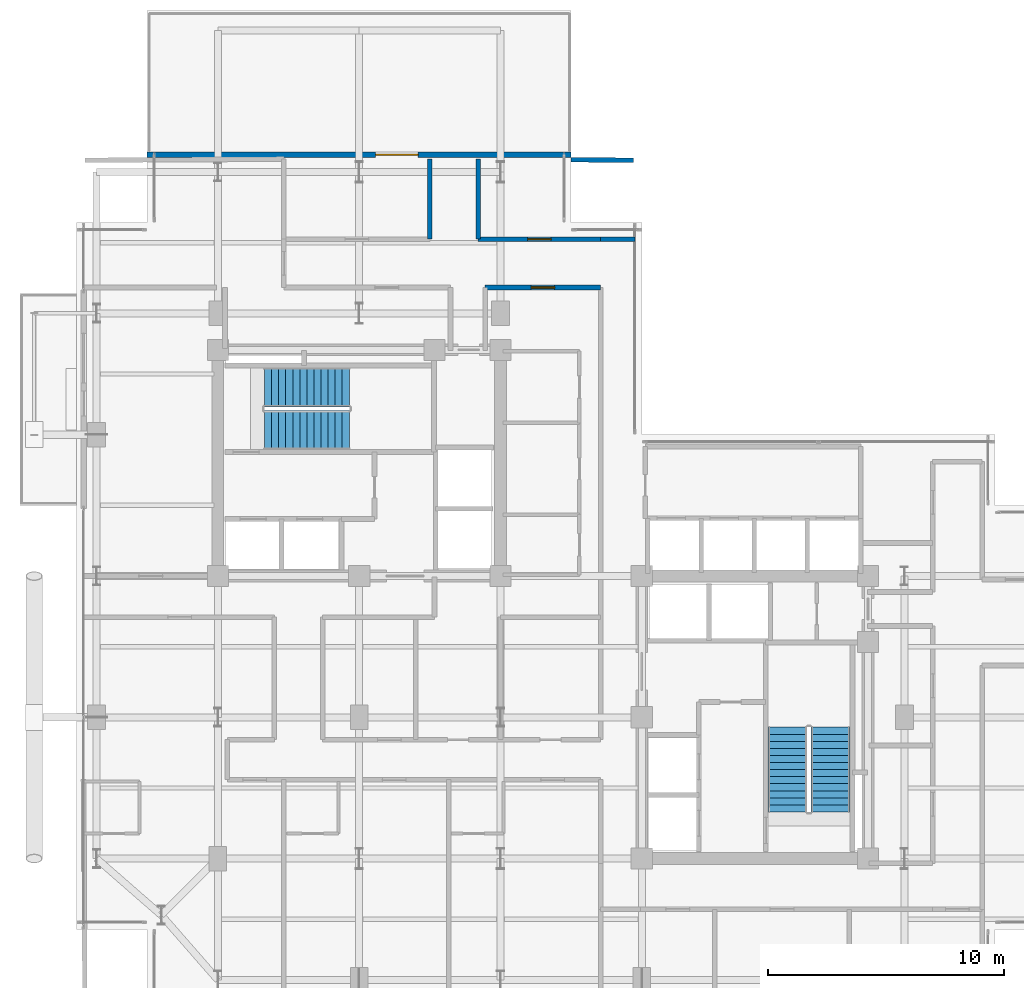
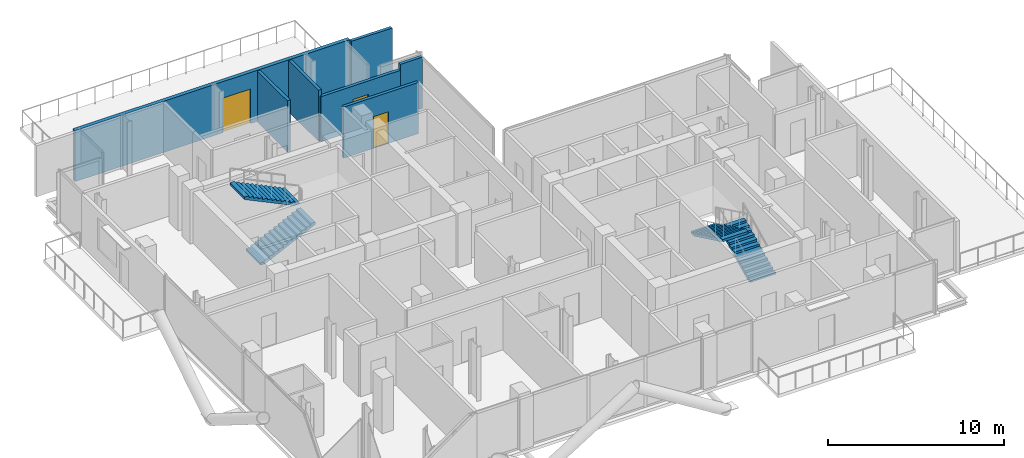
# One storey, part 24 of 28: 7 walls, 4 stair flights, 3 doors, 3 openings, 2 elements without a shape of their own.
"""IFC4 building model written with IfcOpenShell, lengths in metres."""

from ifc_helpers import new_model, si_unit, direction, frame, frame_2d, origin, place, context, subcontext, project, spatial, polyline, rectangle, outline, extrude, material, layer, layer_set, type_object, element, fill, aggregate, save


model = new_model("IFC4")

# Units and contexts
model_context = context("Model", 3, precision=1e-05, world=origin(), true_north=direction((0.0, 1.0)))
body_context = subcontext(model_context, "Body", "Model", "MODEL_VIEW")
ifc_project = project(units=[si_unit("LENGTHUNIT", "METRE"), si_unit("AREAUNIT", "SQUARE_METRE"), si_unit("VOLUMEUNIT", "CUBIC_METRE"), si_unit("PLANEANGLEUNIT", "RADIAN"), si_unit("MASSUNIT", "GRAM", prefix="KILO"), si_unit("THERMODYNAMICTEMPERATUREUNIT", "KELVIN"), si_unit("POWERUNIT", "WATT")], contexts=[model_context])

# Site, building, storey
site_placement = place(None, origin())
site = spatial("IfcSite", under=ifc_project, at=site_placement, CompositionType="ELEMENT")
building_placement = place(site_placement, origin())
building = spatial("IfcBuilding", under=site, at=building_placement, Name="Svarakhadi Broadcast Tower", CompositionType="ELEMENT")
storey_placement = place(building_placement, frame((0.0, 0.0, 169.199951171875)))
storey = spatial("IfcBuildingStorey", under=building, at=storey_placement, Name="L41", CompositionType="ELEMENT", Elevation=169.199951171875)

# Wall, opening, door
ifc_material_1 = material(Name="Double-Stud Acoustic Studio Partition STC-62", Category="gypsum")
ifc_layer_1 = layer(ifc_material_1, 0.199951171875)
ifc_layer_set_1 = layer_set([ifc_layer_1], Name="Double-Stud Acoustic Studio Partition STC-62")
wall_type_1 = type_object("IfcWallType", Name="Wall_Acoust_200", PredefinedType="PARTITIONING", material=ifc_layer_set_1)
wall_1_placement = place(storey_placement, frame((22.25, 30.25, 0.0), z_axis=(0.0, 0.0, 1.0), x_axis=(-1.0, 0.0, 0.0)))
wall_1 = element("IfcWall", 1, at=wall_1_placement, inside=storey, type_object=wall_type_1, Name="L41 Zone 2/3 Corridor Wall", PredefinedType="PARTITIONING", context=body_context, shape_type="SweptSolid", body=[
    extrude(rectangle(XDim=4.89990234375, YDim=0.199951171875, at=frame_2d((2.449951171875, 0.0))), origin(), (0.0, 0.0, 1.0), 3.5400390625),
])
opening_1_placement = place(wall_1_placement, frame((1.949951171875, 0.0, 0.0)))
opening_1 = element("IfcOpeningElement", 2, at=opening_1_placement, cuts=wall_1, Name="Opening D-08", PredefinedType="OPENING", context=body_context, shape_type="SweptSolid", body=[
    extrude(rectangle(XDim=1.0, YDim=2.199951171875, at=frame_2d((0.5, 1.10009765625))), frame((0.0, 0.10986328125, 0.0), z_axis=(0.0, -1.0, 0.0), x_axis=(1.0, 0.0, 0.0)), (0.0, 0.0, 1.0), 0.219970703125),
])
ifc_material_2 = material(Name="Solid-Core Teak Veneer Acoustic Timber Leaf", Category="wood")
door_type_1 = type_object("IfcDoorType", Name="Door_Suite_D08", OperationType="SINGLE_SWING_LEFT", PredefinedType="DOOR", material=ifc_material_2)
door_1_placement = place(opening_1_placement, origin())
door_1 = element("IfcDoor", 3, at=door_1_placement, inside=storey, type_object=door_type_1, Name="L41 Guest Quiet Study Door", OperationType="SINGLE_SWING_LEFT", OverallHeight=2.199951171875, OverallWidth=1.0, PredefinedType="DOOR", context=body_context, shape_type="SweptSolid", body=[
    extrude(rectangle(XDim=1.0, YDim=2.199951171875, at=frame_2d((0.5, 1.10009765625))), frame((0.0, 0.02490234375, 0.0), z_axis=(0.0, -1.0, 0.0), x_axis=(1.0, 0.0, 0.0)), (0.0, 0.0, 1.0), 0.050048828125),
])
fill(opening_1, door_1)

# Walls
for number, where, z_axis, x_axis, name in (
    (4, (15.0, 32.300048828125, 0.0), (0.0, 0.0, 1.0), (0.0, 1.0, 0.0), "L41 Zone 2/3 Corridor Wall"),
    (5, (17.050048828125, 35.699951171875, 0.0), (0.0, 0.0, 1.0), (0.0, -1.0, 0.0), "L41 Zone 2/3 Corridor Wall"),
):
    element("IfcWall", number, at=place(storey_placement, frame(where, z_axis=z_axis, x_axis=x_axis)), inside=storey, type_object=wall_type_1, Name=name, PredefinedType="PARTITIONING", context=body_context, shape_type="SweptSolid", body=[
        extrude(rectangle(XDim=3.39990234375, YDim=0.199951171875, at=frame_2d((1.699951171875, 0.0))), origin(), (0.0, 0.0, 1.0), 3.5400390625),
    ])

# Wall, opening, door
wall_2_placement = place(storey_placement, frame((17.050048828125, 32.300048828125, 0.0), z_axis=(0.0, 0.0, 1.0), x_axis=(1.0, 0.0, 0.0)))
wall_2 = element("IfcWall", 6, at=wall_2_placement, inside=storey, type_object=wall_type_1, Name="L41 Zone 2/3 Corridor Wall", PredefinedType="PARTITIONING", context=body_context, shape_type="SweptSolid", body=[
    extrude(rectangle(XDim=5.199951171875, YDim=0.199951171875, at=frame_2d((2.60009765625, 0.0))), origin(), (0.0, 0.0, 1.0), 3.132080078125),
])
opening_2_placement = place(wall_2_placement, frame((2.10009765625, 0.0, 0.0)))
opening_2 = element("IfcOpeningElement", 7, at=opening_2_placement, cuts=wall_2, Name="Opening D-08", PredefinedType="OPENING", context=body_context, shape_type="SweptSolid", body=[
    extrude(rectangle(XDim=1.0, YDim=2.199951171875, at=frame_2d((0.5, 1.10009765625))), frame((0.0, 0.10986328125, 0.0), z_axis=(0.0, -1.0, 0.0), x_axis=(1.0, 0.0, 0.0)), (0.0, 0.0, 1.0), 0.219970703125),
])
door_2_placement = place(opening_2_placement, origin())
door_2 = element("IfcDoor", 8, at=door_2_placement, inside=storey, type_object=door_type_1, Name="L41 Hotel Sommelier Tasting Salon Door", OperationType="SINGLE_SWING_LEFT", OverallHeight=2.199951171875, OverallWidth=1.0, PredefinedType="DOOR", context=body_context, shape_type="SweptSolid", body=[
    extrude(rectangle(XDim=1.0, YDim=2.199951171875, at=frame_2d((0.5, 1.10009765625))), frame((0.0, 0.02490234375, 0.0), z_axis=(0.0, -1.0, 0.0), x_axis=(1.0, 0.0, 0.0)), (0.0, 0.0, 1.0), 0.050048828125),
])
fill(opening_2, door_2)

# Walls
wall_3_placement = place(storey_placement, frame((22.25, 32.300048828125, 0.0), z_axis=(0.0, 0.0, 1.0), x_axis=(1.0, 0.0, 0.0)))
element("IfcWall", 9, at=wall_3_placement, inside=storey, type_object=wall_type_1, Name="L41 Zone 2/3 Corridor Wall", PredefinedType="PARTITIONING", context=body_context, shape_type="SweptSolid", body=[
    extrude(rectangle(XDim=1.449951171875, YDim=0.199951171875, at=frame_2d((0.72509765625, 0.0))), origin(), (0.0, 0.0, 1.0), 3.5400390625),
])
wall_4_placement = place(storey_placement, frame((21.0, 35.670166015625, 0.0), z_axis=(0.0, 0.0, 1.0), x_axis=(0.999970763357, -0.007646726862, 0.0)))
element("IfcWall", 10, at=wall_4_placement, inside=storey, type_object=wall_type_1, Name="L41 Hotel Sommelier Tasting Salon Wall", PredefinedType="PARTITIONING", context=body_context, shape_type="SweptSolid", body=[
    extrude(rectangle(XDim=2.64990234375, YDim=0.199951171875, at=frame_2d((1.324951171875, 0.0))), origin(), (0.0, 0.0, 1.0), 3.5400390625),
])

# Wall, opening, door
ifc_material_3 = material(Name="Concrete C40/50 (IS 456 M50)", Category="concrete")
ifc_layer_2 = layer(ifc_material_3, 0.239990234375)
ifc_layer_set_2 = layer_set([ifc_layer_2], Name="Concrete C40/50 (IS 456 M50)")
wall_type_2 = type_object("IfcWallType", Name="Wall_Ext_240", PredefinedType="SOLIDWALL", material=ifc_layer_set_2)
wall_5_placement = place(storey_placement, frame((3.0, 35.8798828125, 0.0), z_axis=(0.0, 0.0, 1.0), x_axis=(1.0, 0.0, 0.0)))
wall_5 = element("IfcWall", 11, at=wall_5_placement, inside=storey, type_object=wall_type_2, Name="L41 North Setback Terrace Access Wall", PredefinedType="SOLIDWALL", context=body_context, shape_type="SweptSolid", body=[
    extrude(rectangle(XDim=18.0, YDim=0.239990234375, at=frame_2d((9.0, 0.0))), origin(), (0.0, 0.0, 1.0), 3.5400390625),
])
opening_3_placement = place(wall_5_placement, frame((9.699951171875, 0.0, 0.0)))
opening_3 = element("IfcOpeningElement", 12, at=opening_3_placement, cuts=wall_5, Name="Opening ED-02", PredefinedType="OPENING", context=body_context, shape_type="SweptSolid", body=[
    extrude(rectangle(XDim=1.800048828125, YDim=2.39990234375, at=frame_2d((0.89990234375, 1.199951171875))), frame((0.0, 0.1298828125, 0.0), z_axis=(0.0, -1.0, 0.0), x_axis=(1.0, 0.0, 0.0)), (0.0, 0.0, 1.0), 0.260009765625),
])
ifc_material_4 = material(Name="Anodised Bronze Aluminium AA 6063-T6", Category="aluminium")
door_type_2 = type_object("IfcDoorType", Name="Door_Ext_ED02", OperationType="DOUBLE_DOOR_SINGLE_SWING", PredefinedType="DOOR", material=ifc_material_4)
door_3_placement = place(opening_3_placement, origin())
door_3 = element("IfcDoor", 13, at=door_3_placement, inside=storey, type_object=door_type_2, Name="L41 North Setback Terrace Door", OperationType="DOUBLE_DOOR_SINGLE_SWING", OverallHeight=2.39990234375, OverallWidth=1.800048828125, PredefinedType="DOOR", context=body_context, shape_type="SweptSolid", body=[
    extrude(rectangle(XDim=1.800048828125, YDim=2.39990234375, at=frame_2d((0.89990234375, 1.199951171875))), frame((0.0, 0.02490234375, 0.0), z_axis=(0.0, -1.0, 0.0), x_axis=(1.0, 0.0, 0.0)), (0.0, 0.0, 1.0), 0.050048828125),
])
fill(opening_3, door_3)

# Stair, stair flights
stair_type = type_object("IfcStairType", Name="Stair_Exit_Core", PredefinedType="HALF_TURN_STAIR", material=ifc_material_3)
stair_1_placement = place(storey_placement, origin())
stair_1 = element("IfcStair", 14, at=stair_1_placement, inside=storey, type_object=stair_type, Name="L41 West Core Protected Exit Stair ST-01", PredefinedType="HALF_TURN_STAIR")
stair_flight_type = type_object("IfcStairFlightType", Name="Flight_RC_1680", PredefinedType="STRAIGHT", material=ifc_material_3)
stair_flight_1_placement = place(storey_placement, frame((7.97998046875, 24.18994140625, 0.0), z_axis=(0.0, 0.0, 1.0), x_axis=(1.0, 0.0, 0.0)))
stair_flight_1 = element("IfcStairFlight", 15, at=stair_flight_1_placement, type_object=stair_flight_type, Name="ST-01 flight 1", NumberOfRisers=13, NumberOfTreads=12, PredefinedType="STRAIGHT", RiserHeight=0.144230769, TreadLength=0.3, context=body_context, shape_type="SweptSolid", body=[
    extrude(outline(polyline([(0.0, 0.0), (0.0, 0.144287109375), (0.300048828125, 0.144287109375), (0.300048828125, 0.28857421875), (0.60009765625, 0.28857421875), (0.60009765625, 0.4326171875), (0.89990234375, 0.4326171875), (0.89990234375, 0.576904296875), (1.199951171875, 0.576904296875), (1.199951171875, 0.72119140625), (1.5, 0.72119140625), (1.5, 0.865478515625), (1.800048828125, 0.865478515625), (1.800048828125, 1.009521484375), (2.10009765625, 1.009521484375), (2.10009765625, 1.15380859375), (2.39990234375, 1.15380859375), (2.39990234375, 1.298095703125), (2.699951171875, 1.298095703125), (2.699951171875, 1.4423828125), (3.0, 1.4423828125), (3.0, 1.58642578125), (3.300048828125, 1.58642578125), (3.300048828125, 1.730712890625), (3.60009765625, 1.730712890625), (3.60009765625, 1.875), (3.60009765625, 1.564453125), (0.345947265625, 0.0), (0.0, 0.0)])), frame((0.0, 0.830078125, 0.0), z_axis=(0.0, -1.0, 0.0), x_axis=(1.0, 0.0, 0.0)), (0.0, 0.0, 1.0), 1.659912109375),
])
stair_flight_2_placement = place(storey_placement, frame((11.580078125, 26.010009765625, 1.875), z_axis=(0.0, 0.0, 1.0), x_axis=(-1.0, 0.0, 0.0)))
stair_flight_2 = element("IfcStairFlight", 16, at=stair_flight_2_placement, type_object=stair_flight_type, Name="ST-01 flight 2", NumberOfRisers=13, NumberOfTreads=12, PredefinedType="STRAIGHT", RiserHeight=0.144230769, TreadLength=0.3, context=body_context, shape_type="SweptSolid", body=[
    extrude(outline(polyline([(0.0, 0.0), (0.0, 0.144287109375), (0.300048828125, 0.144287109375), (0.300048828125, 0.28857421875), (0.60009765625, 0.28857421875), (0.60009765625, 0.4326171875), (0.89990234375, 0.4326171875), (0.89990234375, 0.576904296875), (1.199951171875, 0.576904296875), (1.199951171875, 0.72119140625), (1.5, 0.72119140625), (1.5, 0.865478515625), (1.800048828125, 0.865478515625), (1.800048828125, 1.009521484375), (2.10009765625, 1.009521484375), (2.10009765625, 1.15380859375), (2.39990234375, 1.15380859375), (2.39990234375, 1.298095703125), (2.699951171875, 1.298095703125), (2.699951171875, 1.4423828125), (3.0, 1.4423828125), (3.0, 1.58642578125), (3.300048828125, 1.58642578125), (3.300048828125, 1.730712890625), (3.60009765625, 1.730712890625), (3.60009765625, 1.875), (3.60009765625, 1.564453125), (0.345947265625, 0.0), (0.0, 0.0)])), frame((0.0, 0.830078125, 0.0), z_axis=(0.0, -1.0, 0.0), x_axis=(1.0, 0.0, 0.0)), (0.0, 0.0, 1.0), 1.659912109375),
])
aggregate(stair_1, [stair_flight_1, stair_flight_2])

stair_2_placement = place(storey_placement, origin())
stair_2 = element("IfcStair", 17, at=stair_2_placement, inside=storey, type_object=stair_type, Name="L41 East Core Protected Exit Stair ST-02", PredefinedType="HALF_TURN_STAIR")
stair_flight_3_placement = place(storey_placement, frame((32.010009765625, 7.97998046875, 0.0), z_axis=(0.0, 0.0, 1.0), x_axis=(0.0, 1.0, 0.0)))
stair_flight_3 = element("IfcStairFlight", 18, at=stair_flight_3_placement, type_object=stair_flight_type, Name="ST-02 flight 1", NumberOfRisers=13, NumberOfTreads=12, PredefinedType="STRAIGHT", RiserHeight=0.144230769, TreadLength=0.3, context=body_context, shape_type="SweptSolid", body=[
    extrude(outline(polyline([(0.0, 0.0), (0.0, 0.144287109375), (0.300048828125, 0.144287109375), (0.300048828125, 0.28857421875), (0.60009765625, 0.28857421875), (0.60009765625, 0.4326171875), (0.89990234375, 0.4326171875), (0.89990234375, 0.576904296875), (1.199951171875, 0.576904296875), (1.199951171875, 0.72119140625), (1.5, 0.72119140625), (1.5, 0.865478515625), (1.800048828125, 0.865478515625), (1.800048828125, 1.009521484375), (2.10009765625, 1.009521484375), (2.10009765625, 1.15380859375), (2.39990234375, 1.15380859375), (2.39990234375, 1.298095703125), (2.699951171875, 1.298095703125), (2.699951171875, 1.4423828125), (3.0, 1.4423828125), (3.0, 1.58642578125), (3.300048828125, 1.58642578125), (3.300048828125, 1.730712890625), (3.60009765625, 1.730712890625), (3.60009765625, 1.875), (3.60009765625, 1.564453125), (0.345947265625, 0.0), (0.0, 0.0)])), frame((0.0, 0.830078125, 0.0), z_axis=(0.0, -1.0, 0.0), x_axis=(1.0, 0.0, 0.0)), (0.0, 0.0, 1.0), 1.659912109375),
])
stair_flight_4_placement = place(storey_placement, frame((30.18994140625, 11.580078125, 1.875), z_axis=(0.0, 0.0, 1.0), x_axis=(0.0, -1.0, 0.0)))
stair_flight_4 = element("IfcStairFlight", 19, at=stair_flight_4_placement, type_object=stair_flight_type, Name="ST-02 flight 2", NumberOfRisers=13, NumberOfTreads=12, PredefinedType="STRAIGHT", RiserHeight=0.144230769, TreadLength=0.3, context=body_context, shape_type="SweptSolid", body=[
    extrude(outline(polyline([(0.0, 0.0), (0.0, 0.144287109375), (0.300048828125, 0.144287109375), (0.300048828125, 0.28857421875), (0.60009765625, 0.28857421875), (0.60009765625, 0.4326171875), (0.89990234375, 0.4326171875), (0.89990234375, 0.576904296875), (1.199951171875, 0.576904296875), (1.199951171875, 0.72119140625), (1.5, 0.72119140625), (1.5, 0.865478515625), (1.800048828125, 0.865478515625), (1.800048828125, 1.009521484375), (2.10009765625, 1.009521484375), (2.10009765625, 1.15380859375), (2.39990234375, 1.15380859375), (2.39990234375, 1.298095703125), (2.699951171875, 1.298095703125), (2.699951171875, 1.4423828125), (3.0, 1.4423828125), (3.0, 1.58642578125), (3.300048828125, 1.58642578125), (3.300048828125, 1.730712890625), (3.60009765625, 1.730712890625), (3.60009765625, 1.875), (3.60009765625, 1.564453125), (0.345947265625, 0.0), (0.0, 0.0)])), frame((0.0, 0.830078125, 0.0), z_axis=(0.0, -1.0, 0.0), x_axis=(1.0, 0.0, 0.0)), (0.0, 0.0, 1.0), 1.659912109375),
])
aggregate(stair_2, [stair_flight_3, stair_flight_4])

save(model, "model.ifc")
